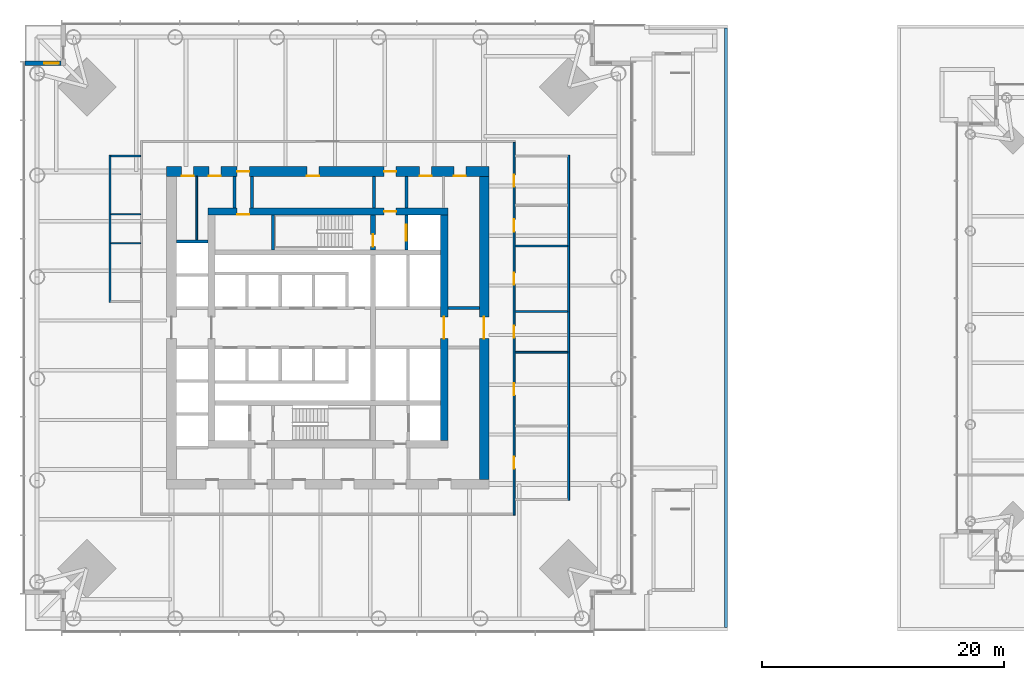
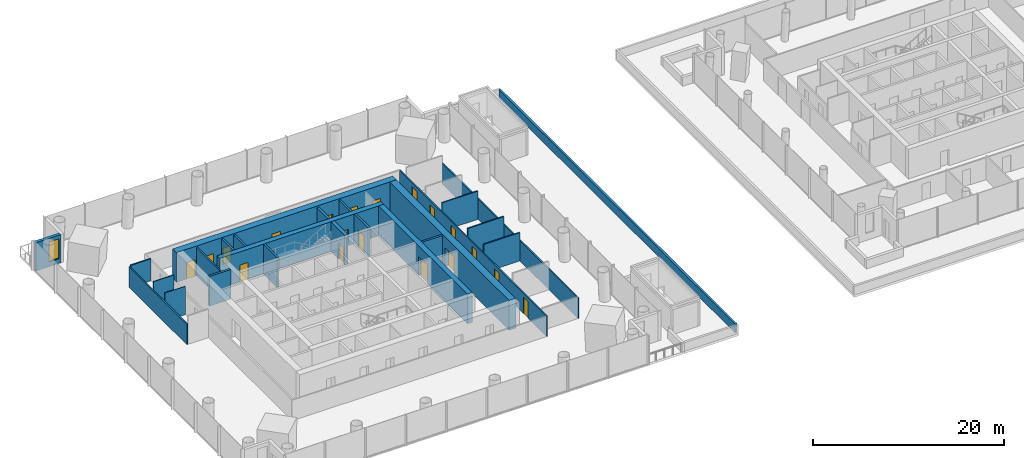
# One storey, part 11 of 19: 25 walls, 19 doors, 1 window, 20 openings.
"""IFC4 building model written with IfcOpenShell, lengths in metres."""

from ifc_helpers import new_model, si_unit, direction, frame, frame_2d, origin, place, context, subcontext, project, spatial, rectangle, extrude, material, layer, layer_set, type_object, element, fill, save


model = new_model("IFC4")

# Units and contexts
model_context = context("Model", 3, precision=1e-05, world=origin(), true_north=direction((0.0, 1.0)))
body_context = subcontext(model_context, "Body", "Model", "MODEL_VIEW")
ifc_project = project(units=[si_unit("LENGTHUNIT", "METRE"), si_unit("AREAUNIT", "SQUARE_METRE"), si_unit("VOLUMEUNIT", "CUBIC_METRE"), si_unit("PLANEANGLEUNIT", "RADIAN"), si_unit("MASSUNIT", "GRAM", prefix="KILO")], contexts=[model_context])

# Site, building, storey
site_placement = place(None, origin())
site = spatial("IfcSite", under=ifc_project, at=site_placement, CompositionType="ELEMENT")
building_placement = place(site_placement, origin())
building = spatial("IfcBuilding", under=site, at=building_placement, Name="Ostroluk Exchange", CompositionType="ELEMENT")
storey_placement = place(building_placement, frame((0.0, 0.0, 21.0)))
storey = spatial("IfcBuildingStorey", under=building, at=storey_placement, Name="L04", CompositionType="ELEMENT", Elevation=21.0)

# Walls
ifc_material_1 = material(Name="Concrete blockwork", Category="masonry")
ifc_layer_1 = layer(ifc_material_1, 0.10009765625)
ifc_layer_set_1 = layer_set([ifc_layer_1], Name="Blockwork WC wall 100")
wall_type_1 = type_object("IfcWallType", Name="Blockwork WC wall 100", PredefinedType="SOLIDWALL", material=ifc_layer_set_1)
for number, where, z_axis, x_axis, name in (
    (1, (29.550048828125, 55.375, 0.0), (0.0, 0.0, 1.0), (-1.0, 0.0, 0.0), "Blockwork WC wall"),
    (2, (29.550048828125, 52.97509765625, 0.0), (0.0, 0.0, 1.0), (-1.0, 0.0, 0.0), "Blockwork WC wall"),
):
    element("IfcWall", number, at=place(storey_placement, frame(where, z_axis=z_axis, x_axis=x_axis)), inside=storey, type_object=wall_type_1, Name=name, PredefinedType="SOLIDWALL", context=body_context, shape_type="SweptSolid", body=[
        extrude(rectangle(XDim=2.449951171875, YDim=0.10009765625, at=frame_2d((1.22509765625, 0.0))), origin(), (0.0, 0.0, 1.0), 3.6201171875),
    ])
ifc_material_2 = material(Name="Concrete blockwork", Category="masonry")
ifc_layer_2 = layer(ifc_material_2, 0.14990234375)
ifc_layer_set_2 = layer_set([ifc_layer_2], Name="Blockwork plant room wall 150")
wall_type_2 = type_object("IfcWallType", Name="Blockwork plant room wall 150", PredefinedType="SOLIDWALL", material=ifc_layer_set_2)
wall_1_placement = place(storey_placement, frame((34.18310546875, 53.25, 0.0), z_axis=(0.0, 0.0, 1.0), x_axis=(0.0, 1.0, 0.0)))
element("IfcWall", 3, at=wall_1_placement, inside=storey, type_object=wall_type_2, Name="Core room wall", PredefinedType="SOLIDWALL", context=body_context, shape_type="SweptSolid", body=[
    extrude(rectangle(XDim=5.25, YDim=0.14990234375, at=frame_2d((2.625, 0.0))), origin(), (0.0, 0.0, 1.0), 3.6201171875),
])
ifc_material_3 = material(Name="Concrete blockwork", Category="masonry")
ifc_layer_3 = layer(ifc_material_3, 0.25)
ifc_layer_set_3 = layer_set([ifc_layer_3], Name="Blockwork stair enclosure wall 250")
wall_type_3 = type_object("IfcWallType", Name="Blockwork stair enclosure wall 250", PredefinedType="SOLIDWALL", material=ifc_layer_set_3)
for number, where, z_axis, x_axis, name in (
    (4, (48.804931640625, 55.89990234375, 0.0), (0.0, 0.0, 1.0), (0.0, 1.0, 0.0), "Fire lobby enclosure wall"),
    (5, (51.47509765625, 55.89990234375, 0.0), (0.0, 0.0, 1.0), (0.0, 1.0, 0.0), "Fire lobby enclosure wall"),
    (6, (54.89990234375, 47.625, 0.0), (0.0, 0.0, 1.0), (1.0, 0.0, 0.0), "Lift lobby enclosure wall"),
    (7, (37.300048828125, 55.89990234375, 0.0), (0.0, 0.0, 1.0), (0.0, 1.0, 0.0), "Core corridor wall"),
    (8, (38.75, 55.89990234375, 0.0), (0.0, 0.0, 1.0), (0.0, 1.0, 0.0), "Core corridor wall"),
):
    element("IfcWall", number, at=place(storey_placement, frame(where, z_axis=z_axis, x_axis=x_axis)), inside=storey, type_object=wall_type_3, Name=name, PredefinedType="SOLIDWALL", context=body_context, shape_type="SweptSolid", body=[
        extrude(rectangle(XDim=2.60009765625, YDim=0.25, at=frame_2d((1.300048828125, 0.0))), origin(), (0.0, 0.0, 1.0), 3.6201171875),
    ])

# Wall, opening, door
ifc_material_4 = material(Name="Concrete C50/60", Category="concrete")
ifc_layer_4 = layer(ifc_material_4, 0.39990234375)
ifc_layer_set_4 = layer_set([ifc_layer_4], Name="Core cross wall 400 C50/60")
wall_type_4 = type_object("IfcWallType", Name="Core cross wall 400 C50/60", PredefinedType="SHEAR", material=ifc_layer_set_4)
wall_2_placement = place(storey_placement, frame((48.72998046875, 52.39990234375, 0.0), z_axis=(0.0, 0.0, 1.0), x_axis=(0.0, 1.0, 0.0)))
wall_2 = element("IfcWall", 9, at=wall_2_placement, inside=storey, type_object=wall_type_4, Name="T1 core wall YE3", PredefinedType="SHEAR", context=body_context, shape_type="SweptSolid", body=[
    extrude(rectangle(XDim=2.900146484375, YDim=0.39990234375, at=frame_2d((1.4501953125, 0.0))), origin(), (0.0, 0.0, 1.0), 3.800048828125),
])
opening_1_placement = place(wall_2_placement, frame((0.300048828125, 0.0, 0.0)))
opening_1 = element("IfcOpeningElement", 10, at=opening_1_placement, cuts=wall_2, Name="Opening FD60", PredefinedType="OPENING", context=body_context, shape_type="SweptSolid", body=[
    extrude(rectangle(XDim=1.0, YDim=2.10009765625, at=frame_2d((0.5, 1.050048828125))), frame((0.0, 0.2099609375, 0.0), z_axis=(0.0, -1.0, 0.0), x_axis=(1.0, 0.0, 0.0)), (0.0, 0.0, 1.0), 0.419921875),
])
ifc_material_5 = material(Name="Steel", Category="steel")
door_type_1 = type_object("IfcDoorType", Name="Fire door EI 60 1000 x 2100", OperationType="SINGLE_SWING_LEFT", PredefinedType="DOOR", material=ifc_material_5)
door_1_placement = place(opening_1_placement, origin())
door_1 = element("IfcDoor", 11, at=door_1_placement, inside=storey, type_object=door_type_1, Name="Stair T1-S2 door", OperationType="SINGLE_SWING_LEFT", OverallHeight=2.10009765625, OverallWidth=1.0, PredefinedType="DOOR", context=body_context, shape_type="SweptSolid", body=[
    extrude(rectangle(XDim=1.0, YDim=2.10009765625, at=frame_2d((0.5, 1.050048828125))), frame((0.0, 0.02490234375, 0.0), z_axis=(0.0, -1.0, 0.0), x_axis=(1.0, 0.0, 0.0)), (0.0, 0.0, 1.0), 0.050048828125),
])
fill(opening_1, door_1)

# Wall
ifc_material_6 = material(Name="Concrete C40/50", Category="concrete")
ifc_layer_5 = layer(ifc_material_6, 0.25)
ifc_layer_set_5 = layer_set([ifc_layer_5], Name="Core shaft wall 250")
wall_type_5 = type_object("IfcWallType", Name="Core shaft wall 250", PredefinedType="SHEAR", material=ifc_layer_set_5)
wall_3_placement = place(storey_placement, frame((40.47509765625, 52.39990234375, 0.0), z_axis=(0.0, 0.0, 1.0), x_axis=(0.0, 1.0, 0.0)))
element("IfcWall", 12, at=wall_3_placement, inside=storey, type_object=wall_type_5, Name="Stair shaft wall", PredefinedType="SHEAR", context=body_context, shape_type="SweptSolid", body=[
    extrude(rectangle(XDim=2.900146484375, YDim=0.25, at=frame_2d((1.4501953125, 0.0))), origin(), (0.0, 0.0, 1.0), 3.800048828125),
])

# Wall, opening, door
wall_4_placement = place(storey_placement, frame((51.47509765625, 52.39990234375, 0.0), z_axis=(0.0, 0.0, 1.0), x_axis=(0.0, 1.0, 0.0)))
wall_4 = element("IfcWall", 13, at=wall_4_placement, inside=storey, type_object=wall_type_5, Name="Firefighting lift shaft wall", PredefinedType="SHEAR", context=body_context, shape_type="SweptSolid", body=[
    extrude(rectangle(XDim=2.900146484375, YDim=0.25, at=frame_2d((1.4501953125, 0.0))), origin(), (0.0, 0.0, 1.0), 3.800048828125),
])
opening_2_placement = place(wall_4_placement, frame((0.800048828125, 0.0, 0.0)))
opening_2 = element("IfcOpeningElement", 14, at=opening_2_placement, cuts=wall_4, Name="Opening LD2", PredefinedType="OPENING", context=body_context, shape_type="SweptSolid", body=[
    extrude(rectangle(XDim=1.300048828125, YDim=2.199951171875, at=frame_2d((0.64990234375, 1.10009765625))), frame((0.0, 0.135009765625, 0.0), z_axis=(0.0, -1.0, 0.0), x_axis=(1.0, 0.0, 0.0)), (0.0, 0.0, 1.0), 0.27001953125),
])
ifc_material_7 = material(Name="Stainless steel", Category="steel")
door_type_2 = type_object("IfcDoorType", Name="Lift landing door E 60 1300 x 2200", OperationType="DOUBLE_DOOR_SLIDING", PredefinedType="DOOR", material=ifc_material_7)
door_2_placement = place(opening_2_placement, origin())
door_2 = element("IfcDoor", 15, at=door_2_placement, inside=storey, type_object=door_type_2, Name="Lift FL2 landing door", OperationType="DOUBLE_DOOR_SLIDING", OverallHeight=2.199951171875, OverallWidth=1.300048828125, PredefinedType="DOOR", context=body_context, shape_type="SweptSolid", body=[
    extrude(rectangle(XDim=1.300048828125, YDim=2.199951171875, at=frame_2d((0.64990234375, 1.10009765625))), frame((0.0, 0.02490234375, 0.0), z_axis=(0.0, -1.0, 0.0), x_axis=(1.0, 0.0, 0.0)), (0.0, 0.0, 1.0), 0.050048828125),
])
fill(opening_2, door_2)

# Wall
wall_5_placement = place(storey_placement, frame((32.5, 53.125, 0.0), z_axis=(0.0, 0.0, 1.0), x_axis=(1.0, 0.0, 0.0)))
element("IfcWall", 16, at=wall_5_placement, inside=storey, type_object=wall_type_5, Name="Lift shaft wall", PredefinedType="SHEAR", context=body_context, shape_type="SweptSolid", body=[
    extrude(rectangle(XDim=2.60009765625, YDim=0.25, at=frame_2d((1.300048828125, 0.0))), origin(), (0.0, 0.0, 1.0), 3.800048828125),
])

# Wall, openings, doors
ifc_material_8 = material(Name="Concrete C50/60", Category="concrete")
ifc_layer_6 = layer(ifc_material_8, 0.60009765625)
ifc_layer_set_6 = layer_set([ifc_layer_6], Name="Core wall 600 C50/60")
wall_type_6 = type_object("IfcWallType", Name="Core wall 600 C50/60", PredefinedType="SHEAR", material=ifc_layer_set_6)
wall_6_placement = place(storey_placement, frame((35.10009765625, 55.60009765625, 0.0), z_axis=(0.0, 0.0, 1.0), x_axis=(1.0, 0.0, 0.0)))
wall_6 = element("IfcWall", 17, at=wall_6_placement, inside=storey, type_object=wall_type_6, Name="T1 core wall N", PredefinedType="SHEAR", context=body_context, shape_type="SweptSolid", body=[
    extrude(rectangle(XDim=19.7998046875, YDim=0.60009765625, at=frame_2d((9.89990234375, 0.0))), origin(), (0.0, 0.0, 1.0), 3.800048828125),
])
opening_3_placement = place(wall_6_placement, frame((14.5400390625, 0.0, 0.0)))
opening_3 = element("IfcOpeningElement", 18, at=opening_3_placement, cuts=wall_6, Name="Opening FD60", PredefinedType="OPENING", context=body_context, shape_type="SweptSolid", body=[
    extrude(rectangle(XDim=1.0, YDim=2.10009765625, at=frame_2d((0.5, 1.050048828125))), frame((0.0, 0.31005859375, 0.0), z_axis=(0.0, -1.0, 0.0), x_axis=(1.0, 0.0, 0.0)), (0.0, 0.0, 1.0), 0.6201171875),
])
opening_4_placement = place(wall_6_placement, frame((2.425048828125, 0.0, 0.0)))
opening_4 = element("IfcOpeningElement", 19, at=opening_4_placement, cuts=wall_6, Name="Opening FD60", PredefinedType="OPENING", context=body_context, shape_type="SweptSolid", body=[
    extrude(rectangle(XDim=1.0, YDim=2.10009765625, at=frame_2d((0.5, 1.050048828125))), frame((0.0, 0.31005859375, 0.0), z_axis=(0.0, -1.0, 0.0), x_axis=(1.0, 0.0, 0.0)), (0.0, 0.0, 1.0), 0.6201171875),
])
door_3_placement = place(opening_3_placement, origin())
door_3 = element("IfcDoor", 20, at=door_3_placement, inside=storey, type_object=door_type_1, Name="Firefighting lobby door", OperationType="SINGLE_SWING_RIGHT", OverallHeight=2.10009765625, OverallWidth=1.0, PredefinedType="DOOR", context=body_context, shape_type="SweptSolid", body=[
    extrude(rectangle(XDim=1.0, YDim=2.10009765625, at=frame_2d((0.5, 1.050048828125))), frame((0.0, 0.02490234375, 0.0), z_axis=(0.0, -1.0, 0.0), x_axis=(1.0, 0.0, 0.0)), (0.0, 0.0, 1.0), 0.050048828125),
])
fill(opening_3, door_3)
door_4_placement = place(opening_4_placement, origin())
door_4 = element("IfcDoor", 21, at=door_4_placement, inside=storey, type_object=door_type_1, Name="Tea point door", OperationType="SINGLE_SWING_LEFT", OverallHeight=2.10009765625, OverallWidth=1.0, PredefinedType="DOOR", context=body_context, shape_type="SweptSolid", body=[
    extrude(rectangle(XDim=1.0, YDim=2.10009765625, at=frame_2d((0.5, 1.050048828125))), frame((0.0, -0.23974609375, 0.0), z_axis=(0.0, -1.0, 0.0), x_axis=(1.0, 0.0, 0.0)), (0.0, 0.0, 1.0), 0.050048828125),
])
fill(opening_4, door_4)

# Wall, opening, door
wall_7_placement = place(storey_placement, frame((54.60009765625, 36.699951171875, 0.0), z_axis=(0.0, 0.0, 1.0), x_axis=(0.0, 1.0, 0.0)))
wall_7 = element("IfcWall", 22, at=wall_7_placement, inside=storey, type_object=wall_type_6, Name="T1 core wall E", PredefinedType="SHEAR", context=body_context, shape_type="SweptSolid", body=[
    extrude(rectangle(XDim=18.60009765625, YDim=0.60009765625, at=frame_2d((9.300048828125, 0.0))), origin(), (0.0, 0.0, 1.0), 3.800048828125),
])
opening_5_placement = place(wall_7_placement, frame((8.39990234375, 0.0, 0.0)))
opening_5 = element("IfcOpeningElement", 23, at=opening_5_placement, cuts=wall_7, Name="Opening FD30D", PredefinedType="OPENING", context=body_context, shape_type="SweptSolid", body=[
    extrude(rectangle(XDim=1.800048828125, YDim=2.39990234375, at=frame_2d((0.89990234375, 1.199951171875))), frame((0.0, 0.31005859375, 0.0), z_axis=(0.0, -1.0, 0.0), x_axis=(1.0, 0.0, 0.0)), (0.0, 0.0, 1.0), 0.6201171875),
])
ifc_material_9 = material(Name="Timber", Category="wood")
door_type_3 = type_object("IfcDoorType", Name="Lobby double door EI 30 1800 x 2400", OperationType="DOUBLE_DOOR_SINGLE_SWING", PredefinedType="DOOR", material=ifc_material_9)
door_5_placement = place(opening_5_placement, origin())
door_5 = element("IfcDoor", 24, at=door_5_placement, inside=storey, type_object=door_type_3, Name="Lift lobby doors", OperationType="DOUBLE_DOOR_SINGLE_SWING", OverallHeight=2.39990234375, OverallWidth=1.800048828125, PredefinedType="DOOR", context=body_context, shape_type="SweptSolid", body=[
    extrude(rectangle(XDim=1.800048828125, YDim=2.39990234375, at=frame_2d((0.89990234375, 1.199951171875))), frame((0.0, 0.02490234375, 0.0), z_axis=(0.0, -1.0, 0.0), x_axis=(1.0, 0.0, 0.0)), (0.0, 0.0, 1.0), 0.050048828125),
])
fill(opening_5, door_5)

# Wall, openings, doors
ifc_material_10 = material(Name="Concrete C50/60", Category="concrete")
ifc_layer_7 = layer(ifc_material_10, 0.800048828125)
ifc_layer_set_7 = layer_set([ifc_layer_7], Name="Core wall 800 C50/60")
wall_type_7 = type_object("IfcWallType", Name="Core wall 800 C50/60", PredefinedType="SHEAR", material=ifc_layer_set_7)
wall_8_placement = place(storey_placement, frame((31.699951171875, 58.89990234375, 0.0), z_axis=(0.0, 0.0, 1.0), x_axis=(1.0, 0.0, 0.0)))
wall_8 = element("IfcWall", 25, at=wall_8_placement, inside=storey, type_object=wall_type_7, Name="T1 core wall RN", PredefinedType="SHEAR", context=body_context, shape_type="SweptSolid", body=[
    extrude(rectangle(XDim=26.60009765625, YDim=0.800048828125, at=frame_2d((13.300048828125, 0.0))), origin(), (0.0, 0.0, 1.0), 3.800048828125),
])
opening_6_placement = place(wall_8_placement, frame((17.93994140625, 0.0, 0.0)))
opening_6 = element("IfcOpeningElement", 26, at=opening_6_placement, cuts=wall_8, Name="Opening FD60", PredefinedType="OPENING", context=body_context, shape_type="SweptSolid", body=[
    extrude(rectangle(XDim=1.0, YDim=2.10009765625, at=frame_2d((0.5, 1.050048828125))), frame((0.0, 0.409912109375, 0.0), z_axis=(0.0, -1.0, 0.0), x_axis=(1.0, 0.0, 0.0)), (0.0, 0.0, 1.0), 0.820068359375),
])
opening_7_placement = place(wall_8_placement, frame((5.824951171875, 0.0, 0.0)))
opening_7 = element("IfcOpeningElement", 27, at=opening_7_placement, cuts=wall_8, Name="Opening FD60", PredefinedType="OPENING", context=body_context, shape_type="SweptSolid", body=[
    extrude(rectangle(XDim=1.0, YDim=2.10009765625, at=frame_2d((0.5, 1.050048828125))), frame((0.0, 0.409912109375, 0.0), z_axis=(0.0, -1.0, 0.0), x_axis=(1.0, 0.0, 0.0)), (0.0, 0.0, 1.0), 0.820068359375),
])
opening_8_placement = place(wall_8_placement, frame((1.23291015625, 0.0, 0.0)))
opening_8 = element("IfcOpeningElement", 28, at=opening_8_placement, cuts=wall_8, Name="Opening FD60", PredefinedType="OPENING", context=body_context, shape_type="SweptSolid", body=[
    extrude(rectangle(XDim=1.0, YDim=2.10009765625, at=frame_2d((0.5, 1.050048828125))), frame((0.0, 0.409912109375, 0.0), z_axis=(0.0, -1.0, 0.0), x_axis=(1.0, 0.0, 0.0)), (0.0, 0.0, 1.0), 0.820068359375),
])
opening_9_placement = place(wall_8_placement, frame((3.47900390625, 0.0, 0.0)))
opening_9 = element("IfcOpeningElement", 29, at=opening_9_placement, cuts=wall_8, Name="Opening FD60", PredefinedType="OPENING", context=body_context, shape_type="SweptSolid", body=[
    extrude(rectangle(XDim=1.0, YDim=2.10009765625, at=frame_2d((0.5, 1.050048828125))), frame((0.0, 0.409912109375, 0.0), z_axis=(0.0, -1.0, 0.0), x_axis=(1.0, 0.0, 0.0)), (0.0, 0.0, 1.0), 0.820068359375),
])
opening_10_placement = place(wall_8_placement, frame((11.577392578125, 0.0, 0.0)))
opening_10 = element("IfcOpeningElement", 30, at=opening_10_placement, cuts=wall_8, Name="Opening FD60", PredefinedType="OPENING", context=body_context, shape_type="SweptSolid", body=[
    extrude(rectangle(XDim=1.0, YDim=2.10009765625, at=frame_2d((0.5, 1.050048828125))), frame((0.0, 0.409912109375, 0.0), z_axis=(0.0, -1.0, 0.0), x_axis=(1.0, 0.0, 0.0)), (0.0, 0.0, 1.0), 0.820068359375),
])
opening_11_placement = place(wall_8_placement, frame((20.875, 0.0, 0.0)))
opening_11 = element("IfcOpeningElement", 31, at=opening_11_placement, cuts=wall_8, Name="Opening FD60", PredefinedType="OPENING", context=body_context, shape_type="SweptSolid", body=[
    extrude(rectangle(XDim=1.0, YDim=2.10009765625, at=frame_2d((0.5, 1.050048828125))), frame((0.0, 0.409912109375, 0.0), z_axis=(0.0, -1.0, 0.0), x_axis=(1.0, 0.0, 0.0)), (0.0, 0.0, 1.0), 0.820068359375),
])
opening_12_placement = place(wall_8_placement, frame((23.699951171875, 0.0, 0.0)))
opening_12 = element("IfcOpeningElement", 32, at=opening_12_placement, cuts=wall_8, Name="Opening FD60", PredefinedType="OPENING", context=body_context, shape_type="SweptSolid", body=[
    extrude(rectangle(XDim=1.0, YDim=2.10009765625, at=frame_2d((0.5, 1.050048828125))), frame((0.0, 0.409912109375, 0.0), z_axis=(0.0, -1.0, 0.0), x_axis=(1.0, 0.0, 0.0)), (0.0, 0.0, 1.0), 0.820068359375),
])
door_6_placement = place(opening_6_placement, origin())
door_6 = element("IfcDoor", 33, at=door_6_placement, inside=storey, type_object=door_type_1, Name="Firefighting lobby door", OperationType="SINGLE_SWING_RIGHT", OverallHeight=2.10009765625, OverallWidth=1.0, PredefinedType="DOOR", context=body_context, shape_type="SweptSolid", body=[
    extrude(rectangle(XDim=1.0, YDim=2.10009765625, at=frame_2d((0.5, 1.050048828125))), frame((0.0, 0.02490234375, 0.0), z_axis=(0.0, -1.0, 0.0), x_axis=(1.0, 0.0, 0.0)), (0.0, 0.0, 1.0), 0.050048828125),
])
fill(opening_6, door_6)
door_7_placement = place(opening_7_placement, origin())
door_7 = element("IfcDoor", 34, at=door_7_placement, inside=storey, type_object=door_type_1, Name="Core corridor door", OperationType="SINGLE_SWING_LEFT", OverallHeight=2.10009765625, OverallWidth=1.0, PredefinedType="DOOR", context=body_context, shape_type="SweptSolid", body=[
    extrude(rectangle(XDim=1.0, YDim=2.10009765625, at=frame_2d((0.5, 1.050048828125))), frame((0.0, 0.02490234375, 0.0), z_axis=(0.0, -1.0, 0.0), x_axis=(1.0, 0.0, 0.0)), (0.0, 0.0, 1.0), 0.050048828125),
])
fill(opening_7, door_7)
door_8_placement = place(opening_8_placement, origin())
door_8 = element("IfcDoor", 35, at=door_8_placement, inside=storey, type_object=door_type_1, Name="Tenant IT room door", OperationType="SINGLE_SWING_LEFT", OverallHeight=2.10009765625, OverallWidth=1.0, PredefinedType="DOOR", context=body_context, shape_type="SweptSolid", body=[
    extrude(rectangle(XDim=1.0, YDim=2.10009765625, at=frame_2d((0.5, 1.050048828125))), frame((0.0, -0.33984375, 0.0), z_axis=(0.0, -1.0, 0.0), x_axis=(1.0, 0.0, 0.0)), (0.0, 0.0, 1.0), 0.050048828125),
])
fill(opening_8, door_8)
door_9_placement = place(opening_9_placement, origin())
door_9 = element("IfcDoor", 36, at=door_9_placement, inside=storey, type_object=door_type_1, Name="First aid room door", OperationType="SINGLE_SWING_LEFT", OverallHeight=2.10009765625, OverallWidth=1.0, PredefinedType="DOOR", context=body_context, shape_type="SweptSolid", body=[
    extrude(rectangle(XDim=1.0, YDim=2.10009765625, at=frame_2d((0.5, 1.050048828125))), frame((0.0, -0.33984375, 0.0), z_axis=(0.0, -1.0, 0.0), x_axis=(1.0, 0.0, 0.0)), (0.0, 0.0, 1.0), 0.050048828125),
])
fill(opening_9, door_9)
door_10_placement = place(opening_10_placement, origin())
door_10 = element("IfcDoor", 37, at=door_10_placement, inside=storey, type_object=door_type_1, Name="Print and post room door", OperationType="SINGLE_SWING_LEFT", OverallHeight=2.10009765625, OverallWidth=1.0, PredefinedType="DOOR", context=body_context, shape_type="SweptSolid", body=[
    extrude(rectangle(XDim=1.0, YDim=2.10009765625, at=frame_2d((0.5, 1.050048828125))), frame((0.0, -0.33984375, 0.0), z_axis=(0.0, -1.0, 0.0), x_axis=(1.0, 0.0, 0.0)), (0.0, 0.0, 1.0), 0.050048828125),
])
fill(opening_10, door_10)
door_11_placement = place(opening_11_placement, origin())
door_11 = element("IfcDoor", 38, at=door_11_placement, inside=storey, type_object=door_type_1, Name="First aid room door", OperationType="SINGLE_SWING_RIGHT", OverallHeight=2.10009765625, OverallWidth=1.0, PredefinedType="DOOR", context=body_context, shape_type="SweptSolid", body=[
    extrude(rectangle(XDim=1.0, YDim=2.10009765625, at=frame_2d((0.5, 1.050048828125))), frame((0.0, -0.33984375, 0.0), z_axis=(0.0, -1.0, 0.0), x_axis=(1.0, 0.0, 0.0)), (0.0, 0.0, 1.0), 0.050048828125),
])
fill(opening_11, door_11)
door_12_placement = place(opening_12_placement, origin())
door_12 = element("IfcDoor", 39, at=door_12_placement, inside=storey, type_object=door_type_1, Name="Tea point door", OperationType="SINGLE_SWING_RIGHT", OverallHeight=2.10009765625, OverallWidth=1.0, PredefinedType="DOOR", context=body_context, shape_type="SweptSolid", body=[
    extrude(rectangle(XDim=1.0, YDim=2.10009765625, at=frame_2d((0.5, 1.050048828125))), frame((0.0, -0.33984375, 0.0), z_axis=(0.0, -1.0, 0.0), x_axis=(1.0, 0.0, 0.0)), (0.0, 0.0, 1.0), 0.050048828125),
])
fill(opening_12, door_12)

# Wall, opening, door
wall_9_placement = place(storey_placement, frame((57.89990234375, 33.5, 0.0), z_axis=(0.0, 0.0, 1.0), x_axis=(0.0, 1.0, 0.0)))
wall_9 = element("IfcWall", 40, at=wall_9_placement, inside=storey, type_object=wall_type_7, Name="T1 core wall RE", PredefinedType="SHEAR", context=body_context, shape_type="SweptSolid", body=[
    extrude(rectangle(XDim=25.0, YDim=0.800048828125, at=frame_2d((12.5, 0.0))), origin(), (0.0, 0.0, 1.0), 3.800048828125),
])
opening_13_placement = place(wall_9_placement, frame((11.60009765625, 0.0, 0.0)))
opening_13 = element("IfcOpeningElement", 41, at=opening_13_placement, cuts=wall_9, Name="Opening FD30D", PredefinedType="OPENING", context=body_context, shape_type="SweptSolid", body=[
    extrude(rectangle(XDim=1.800048828125, YDim=2.39990234375, at=frame_2d((0.89990234375, 1.199951171875))), frame((0.0, 0.409912109375, 0.0), z_axis=(0.0, -1.0, 0.0), x_axis=(1.0, 0.0, 0.0)), (0.0, 0.0, 1.0), 0.820068359375),
])
door_13_placement = place(opening_13_placement, origin())
door_13 = element("IfcDoor", 42, at=door_13_placement, inside=storey, type_object=door_type_3, Name="Lift lobby doors", OperationType="DOUBLE_DOOR_SINGLE_SWING", OverallHeight=2.39990234375, OverallWidth=1.800048828125, PredefinedType="DOOR", context=body_context, shape_type="SweptSolid", body=[
    extrude(rectangle(XDim=1.800048828125, YDim=2.39990234375, at=frame_2d((0.89990234375, 1.199951171875))), frame((0.0, 0.02490234375, 0.0), z_axis=(0.0, -1.0, 0.0), x_axis=(1.0, 0.0, 0.0)), (0.0, 0.0, 1.0), 0.050048828125),
])
fill(opening_13, door_13)

# Wall
ifc_material_11 = material(Name="Limestone", Category="masonry")
ifc_layer_8 = layer(ifc_material_11, 0.25)
ifc_layer_set_8 = layer_set([ifc_layer_8], Name="Green roof parapet 250")
wall_type_8 = type_object("IfcWallType", Name="Green roof parapet 250", PredefinedType="PARAPET", material=ifc_layer_set_8)
wall_10_placement = place(storey_placement, frame((77.875, 21.25, 0.0), z_axis=(0.0, 0.0, 1.0), x_axis=(0.0, 1.0, 0.0)))
element("IfcWall", 43, at=wall_10_placement, inside=storey, type_object=wall_type_8, Name="Green roof parapet L04 3", PredefinedType="PARAPET", context=body_context, shape_type="SweptSolid", body=[
    extrude(rectangle(XDim=49.5, YDim=0.25, at=frame_2d((24.75, 0.0))), origin(), (0.0, 0.0, 1.0), 1.10009765625),
])

# Wall, opening, window
ifc_material_12 = material(Name="Limestone", Category="masonry")
ifc_layer_9 = layer(ifc_material_12, 0.35009765625)
ifc_layer_set_9 = layer_set([ifc_layer_9], Name="Limestone facade wall 350")
wall_type_9 = type_object("IfcWallType", Name="Limestone facade wall 350", PredefinedType="SOLIDWALL", material=ifc_layer_set_9)
wall_11_placement = place(storey_placement, frame((23.0, 67.824951171875, 0.0), z_axis=(0.0, 0.0, 1.0), x_axis=(-1.0, 0.0, 0.0)))
wall_11 = element("IfcWall", 44, at=wall_11_placement, inside=storey, type_object=wall_type_9, Name="Office tower NW corner wall L04 b", PredefinedType="SOLIDWALL", context=body_context, shape_type="SweptSolid", body=[
    extrude(rectangle(XDim=3.0, YDim=0.35009765625, at=frame_2d((1.5, 0.0))), origin(), (0.0, 0.0, 1.0), 3.6201171875),
])
opening_14_placement = place(wall_11_placement, frame((0.199951171875, 0.0, 0.60009765625)))
opening_14 = element("IfcOpeningElement", 45, at=opening_14_placement, cuts=wall_11, Name="Opening WN-L1", PredefinedType="OPENING", context=body_context, shape_type="SweptSolid", body=[
    extrude(rectangle(XDim=1.199951171875, YDim=2.550048828125, at=frame_2d((0.60009765625, 1.27490234375))), frame((0.0, 0.18505859375, 0.0), z_axis=(0.0, -1.0, 0.0), x_axis=(1.0, 0.0, 0.0)), (0.0, 0.0, 1.0), 0.3701171875),
])
ifc_material_13 = material(Name="Laminated clear glass", Category="glass")
window_type = type_object("IfcWindowType", Name="Lancet window 1200 x 2550", PartitioningType="SINGLE_PANEL", PredefinedType="WINDOW", material=ifc_material_13)
window_placement = place(opening_14_placement, origin())
window = element("IfcWindow", 46, at=window_placement, inside=storey, type_object=window_type, Name="Office tower NW lancet window L04", OverallHeight=2.550048828125, OverallWidth=1.199951171875, PartitioningType="SINGLE_PANEL", PredefinedType="WINDOW", context=body_context, shape_type="SweptSolid", body=[
    extrude(rectangle(XDim=1.199951171875, YDim=2.550048828125, at=frame_2d((0.60009765625, 1.27490234375))), frame((0.0, 0.030029296875, 0.0), z_axis=(0.0, -1.0, 0.0), x_axis=(1.0, 0.0, 0.0)), (0.0, 0.0, 1.0), 0.06005859375),
])
fill(opening_14, window)

# Walls
ifc_material_14 = material(Name="Gypsum plasterboard partition", Category="gypsum")
ifc_layer_10 = layer(ifc_material_14, 0.14990234375)
ifc_layer_set_10 = layer_set([ifc_layer_10], Name="Plasterboard partition 150")
wall_type_10 = type_object("IfcWallType", Name="Plasterboard partition 150", PredefinedType="PARTITIONING", material=ifc_layer_set_10)
for number, where, z_axis, x_axis, name in (
    (47, (60.449951171875, 43.97509765625, 0.0), (0.0, 0.0, 1.0), (1.0, 0.0, 0.0), "Partition"),
    (48, (60.449951171875, 47.35009765625, 0.0), (0.0, 0.0, 1.0), (1.0, 0.0, 0.0), "Partition"),
    (49, (60.449951171875, 52.75, 0.0), (0.0, 0.0, 1.0), (1.0, 0.0, 0.0), "Partition"),
):
    element("IfcWall", number, at=place(storey_placement, frame(where, z_axis=z_axis, x_axis=x_axis)), inside=storey, type_object=wall_type_10, Name=name, PredefinedType="PARTITIONING", context=body_context, shape_type="SweptSolid", body=[
        extrude(rectangle(XDim=4.35009765625, YDim=0.14990234375, at=frame_2d((2.175048828125, 0.0))), origin(), (0.0, 0.0, 1.0), 3.6201171875),
    ])
wall_12_placement = place(storey_placement, frame((64.875, 31.75, 0.0), z_axis=(0.0, 0.0, 1.0), x_axis=(0.0, 1.0, 0.0)))
element("IfcWall", 50, at=wall_12_placement, inside=storey, type_object=wall_type_10, Name="Partition", PredefinedType="PARTITIONING", context=body_context, shape_type="SweptSolid", body=[
    extrude(rectangle(XDim=28.5, YDim=0.14990234375, at=frame_2d((14.25, 0.0))), origin(), (0.0, 0.0, 1.0), 2.612060546875),
])

# Wall, openings, doors
wall_13_placement = place(storey_placement, frame((60.375, 30.550048828125, 0.0), z_axis=(0.0, 0.0, 1.0), x_axis=(0.0, 1.0, 0.0)))
wall_13 = element("IfcWall", 51, at=wall_13_placement, inside=storey, type_object=wall_type_10, Name="Corridor wall", PredefinedType="PARTITIONING", context=body_context, shape_type="SweptSolid", body=[
    extrude(rectangle(XDim=30.75, YDim=0.14990234375, at=frame_2d((15.375, 0.0))), origin(), (0.0, 0.0, 1.0), 2.612060546875),
])
opening_15_placement = place(wall_13_placement, frame((3.8125, 0.0, 0.0)))
opening_15 = element("IfcOpeningElement", 52, at=opening_15_placement, cuts=wall_13, Name="Opening D-03", PredefinedType="OPENING", context=body_context, shape_type="SweptSolid", body=[
    extrude(rectangle(XDim=1.0, YDim=2.10009765625, at=frame_2d((0.5, 1.050048828125))), frame((0.0, 0.0849609375, 0.0), z_axis=(0.0, -1.0, 0.0), x_axis=(1.0, 0.0, 0.0)), (0.0, 0.0, 1.0), 0.169921875),
])
opening_16_placement = place(wall_13_placement, frame((9.887451171875, 0.0, 0.0)))
opening_16 = element("IfcOpeningElement", 53, at=opening_16_placement, cuts=wall_13, Name="Opening D-03", PredefinedType="OPENING", context=body_context, shape_type="SweptSolid", body=[
    extrude(rectangle(XDim=1.0, YDim=2.10009765625, at=frame_2d((0.5, 1.050048828125))), frame((0.0, 0.0849609375, 0.0), z_axis=(0.0, -1.0, 0.0), x_axis=(1.0, 0.0, 0.0)), (0.0, 0.0, 1.0), 0.169921875),
])
opening_17_placement = place(wall_13_placement, frame((14.612548828125, 0.0, 0.0)))
opening_17 = element("IfcOpeningElement", 54, at=opening_17_placement, cuts=wall_13, Name="Opening D-03", PredefinedType="OPENING", context=body_context, shape_type="SweptSolid", body=[
    extrude(rectangle(XDim=1.0, YDim=2.10009765625, at=frame_2d((0.5, 1.050048828125))), frame((0.0, 0.0849609375, 0.0), z_axis=(0.0, -1.0, 0.0), x_axis=(1.0, 0.0, 0.0)), (0.0, 0.0, 1.0), 0.169921875),
])
opening_18_placement = place(wall_13_placement, frame((19.0, 0.0, 0.0)))
opening_18 = element("IfcOpeningElement", 55, at=opening_18_placement, cuts=wall_13, Name="Opening D-03", PredefinedType="OPENING", context=body_context, shape_type="SweptSolid", body=[
    extrude(rectangle(XDim=1.0, YDim=2.10009765625, at=frame_2d((0.5, 1.050048828125))), frame((0.0, 0.0849609375, 0.0), z_axis=(0.0, -1.0, 0.0), x_axis=(1.0, 0.0, 0.0)), (0.0, 0.0, 1.0), 0.169921875),
])
opening_19_placement = place(wall_13_placement, frame((23.387451171875, 0.0, 0.0)))
opening_19 = element("IfcOpeningElement", 56, at=opening_19_placement, cuts=wall_13, Name="Opening D-03", PredefinedType="OPENING", context=body_context, shape_type="SweptSolid", body=[
    extrude(rectangle(XDim=1.0, YDim=2.10009765625, at=frame_2d((0.5, 1.050048828125))), frame((0.0, 0.0849609375, 0.0), z_axis=(0.0, -1.0, 0.0), x_axis=(1.0, 0.0, 0.0)), (0.0, 0.0, 1.0), 0.169921875),
])
opening_20_placement = place(wall_13_placement, frame((27.10009765625, 0.0, 0.0)))
opening_20 = element("IfcOpeningElement", 57, at=opening_20_placement, cuts=wall_13, Name="Opening D-03", PredefinedType="OPENING", context=body_context, shape_type="SweptSolid", body=[
    extrude(rectangle(XDim=1.0, YDim=2.10009765625, at=frame_2d((0.5, 1.050048828125))), frame((0.0, 0.0849609375, 0.0), z_axis=(0.0, -1.0, 0.0), x_axis=(1.0, 0.0, 0.0)), (0.0, 0.0, 1.0), 0.169921875),
])
ifc_material_15 = material(Name="Timber", Category="wood")
door_type_4 = type_object("IfcDoorType", Name="Internal door 1000 x 2100", OperationType="SINGLE_SWING_LEFT", PredefinedType="DOOR", material=ifc_material_15)
door_14_placement = place(opening_15_placement, origin())
door_14 = element("IfcDoor", 58, at=door_14_placement, inside=storey, type_object=door_type_4, Name="Meeting room door", OperationType="SINGLE_SWING_LEFT", OverallHeight=2.10009765625, OverallWidth=1.0, PredefinedType="DOOR", context=body_context, shape_type="SweptSolid", body=[
    extrude(rectangle(XDim=1.0, YDim=2.10009765625, at=frame_2d((0.5, 1.050048828125))), frame((0.0, 0.02490234375, 0.0), z_axis=(0.0, -1.0, 0.0), x_axis=(1.0, 0.0, 0.0)), (0.0, 0.0, 1.0), 0.050048828125),
])
fill(opening_15, door_14)
door_15_placement = place(opening_16_placement, origin())
door_15 = element("IfcDoor", 59, at=door_15_placement, inside=storey, type_object=door_type_4, Name="Meeting room door", OperationType="SINGLE_SWING_LEFT", OverallHeight=2.10009765625, OverallWidth=1.0, PredefinedType="DOOR", context=body_context, shape_type="SweptSolid", body=[
    extrude(rectangle(XDim=1.0, YDim=2.10009765625, at=frame_2d((0.5, 1.050048828125))), frame((0.0, 0.02490234375, 0.0), z_axis=(0.0, -1.0, 0.0), x_axis=(1.0, 0.0, 0.0)), (0.0, 0.0, 1.0), 0.050048828125),
])
fill(opening_16, door_15)
door_16_placement = place(opening_17_placement, origin())
door_16 = element("IfcDoor", 60, at=door_16_placement, inside=storey, type_object=door_type_4, Name="Focus room door", OperationType="SINGLE_SWING_LEFT", OverallHeight=2.10009765625, OverallWidth=1.0, PredefinedType="DOOR", context=body_context, shape_type="SweptSolid", body=[
    extrude(rectangle(XDim=1.0, YDim=2.10009765625, at=frame_2d((0.5, 1.050048828125))), frame((0.0, 0.02490234375, 0.0), z_axis=(0.0, -1.0, 0.0), x_axis=(1.0, 0.0, 0.0)), (0.0, 0.0, 1.0), 0.050048828125),
])
fill(opening_17, door_16)
door_17_placement = place(opening_18_placement, origin())
door_17 = element("IfcDoor", 61, at=door_17_placement, inside=storey, type_object=door_type_4, Name="Pantry door", OperationType="SINGLE_SWING_RIGHT", OverallHeight=2.10009765625, OverallWidth=1.0, PredefinedType="DOOR", context=body_context, shape_type="SweptSolid", body=[
    extrude(rectangle(XDim=1.0, YDim=2.10009765625, at=frame_2d((0.5, 1.050048828125))), frame((0.0, 0.02490234375, 0.0), z_axis=(0.0, -1.0, 0.0), x_axis=(1.0, 0.0, 0.0)), (0.0, 0.0, 1.0), 0.050048828125),
])
fill(opening_18, door_17)
door_18_placement = place(opening_19_placement, origin())
door_18 = element("IfcDoor", 62, at=door_18_placement, inside=storey, type_object=door_type_4, Name="Focus room door", OperationType="SINGLE_SWING_RIGHT", OverallHeight=2.10009765625, OverallWidth=1.0, PredefinedType="DOOR", context=body_context, shape_type="SweptSolid", body=[
    extrude(rectangle(XDim=1.0, YDim=2.10009765625, at=frame_2d((0.5, 1.050048828125))), frame((0.0, 0.02490234375, 0.0), z_axis=(0.0, -1.0, 0.0), x_axis=(1.0, 0.0, 0.0)), (0.0, 0.0, 1.0), 0.050048828125),
])
fill(opening_19, door_18)
door_19_placement = place(opening_20_placement, origin())
door_19 = element("IfcDoor", 63, at=door_19_placement, inside=storey, type_object=door_type_4, Name="Print and store room door", OperationType="SINGLE_SWING_RIGHT", OverallHeight=2.10009765625, OverallWidth=1.0, PredefinedType="DOOR", context=body_context, shape_type="SweptSolid", body=[
    extrude(rectangle(XDim=1.0, YDim=2.10009765625, at=frame_2d((0.5, 1.050048828125))), frame((0.0, 0.02490234375, 0.0), z_axis=(0.0, -1.0, 0.0), x_axis=(1.0, 0.0, 0.0)), (0.0, 0.0, 1.0), 0.050048828125),
])
fill(opening_20, door_19)

# Walls
ifc_material_16 = material(Name="Gypsum plasterboard partition, moisture resistant", Category="gypsum")
ifc_layer_11 = layer(ifc_material_16, 0.14990234375)
ifc_layer_set_11 = layer_set([ifc_layer_11], Name="Plasterboard toilet partition 150")
wall_type_11 = type_object("IfcWallType", Name="Plasterboard toilet partition 150", PredefinedType="PARTITIONING", material=ifc_layer_set_11)
wall_14_placement = place(storey_placement, frame((27.02490234375, 60.25, 0.0), z_axis=(0.0, 0.0, 1.0), x_axis=(0.0, -1.0, 0.0)))
element("IfcWall", 64, at=wall_14_placement, inside=storey, type_object=wall_type_11, Name="Toilet partition", PredefinedType="PARTITIONING", context=body_context, shape_type="SweptSolid", body=[
    extrude(rectangle(XDim=12.14990234375, YDim=0.14990234375, at=frame_2d((6.074951171875, 0.0))), origin(), (0.0, 0.0, 1.0), 2.612060546875),
])
wall_15_placement = place(storey_placement, frame((29.550048828125, 60.175048828125, 0.0), z_axis=(0.0, 0.0, 1.0), x_axis=(-1.0, 0.0, 0.0)))
element("IfcWall", 65, at=wall_15_placement, inside=storey, type_object=wall_type_11, Name="Toilet partition", PredefinedType="PARTITIONING", context=body_context, shape_type="SweptSolid", body=[
    extrude(rectangle(XDim=2.449951171875, YDim=0.14990234375, at=frame_2d((1.22509765625, 0.0))), origin(), (0.0, 0.0, 1.0), 2.805908203125),
])

save(model, "model.ifc")
